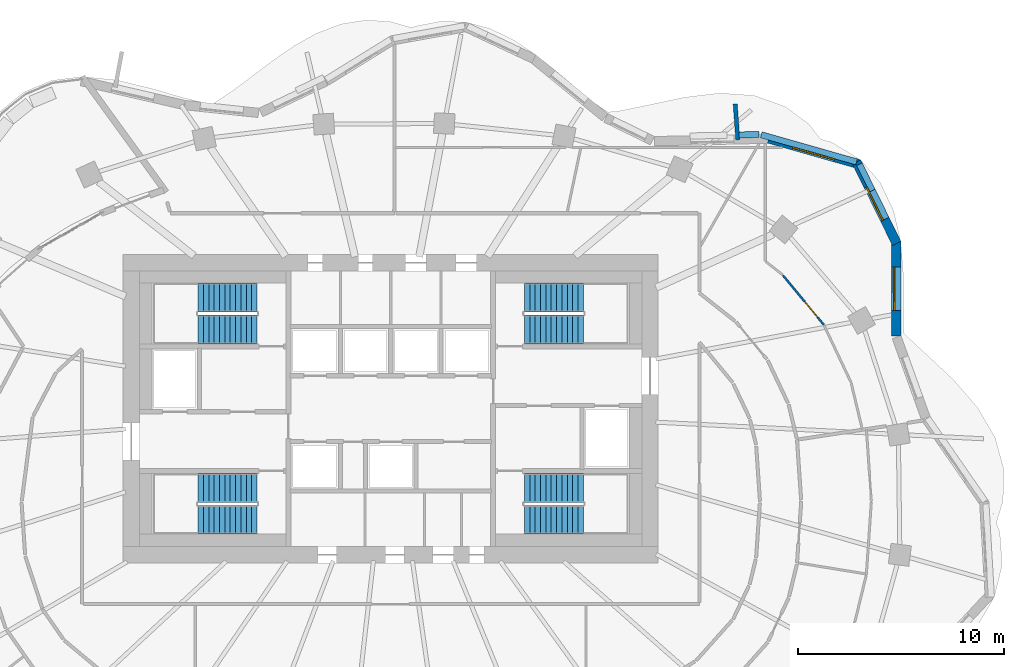
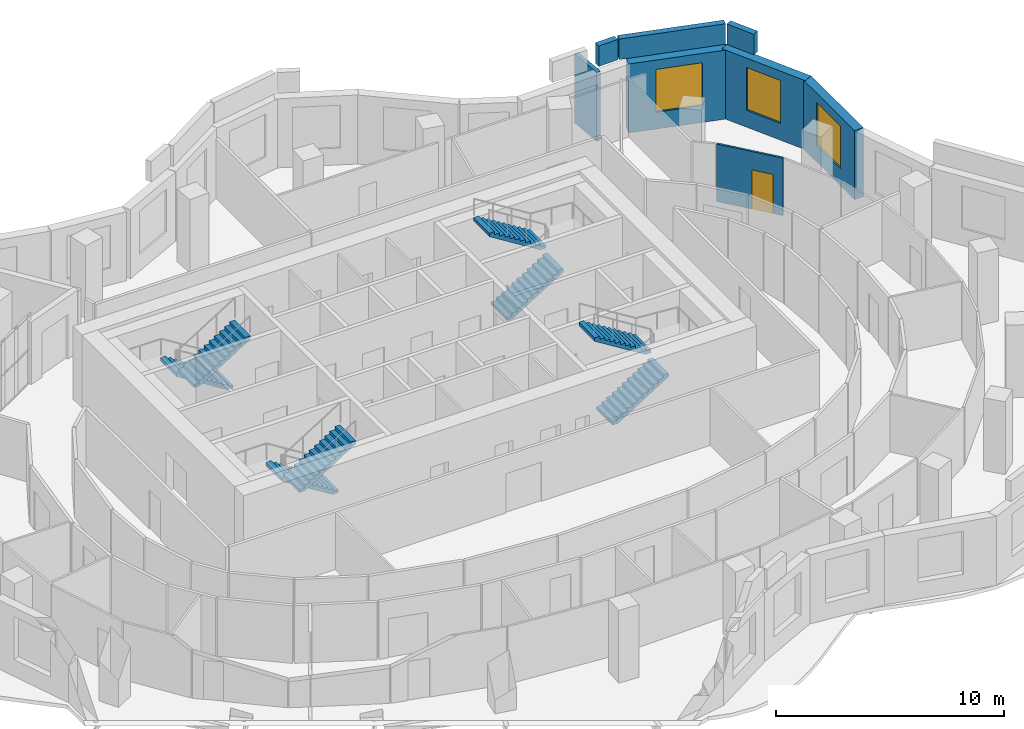
# One storey, part 11 of 13: 8 stair flights, 8 walls, 3 windows, 1 door, 4 openings, 4 elements without a shape of their own.
"""IFC4 building model written with IfcOpenShell, lengths in metres."""

from ifc_helpers import new_model, si_unit, direction, frame, frame_2d, origin, place, context, subcontext, project, spatial, polyline, rectangle, outline, extrude, material, layer, layer_set, type_object, element, fill, aggregate, save


model = new_model("IFC4")

# Units and contexts
model_context = context("Model", 3, precision=1e-05, world=origin(), true_north=direction((0.0, 1.0)))
body_context = subcontext(model_context, "Body", "Model", "MODEL_VIEW")
ifc_project = project(units=[si_unit("LENGTHUNIT", "METRE"), si_unit("AREAUNIT", "SQUARE_METRE"), si_unit("VOLUMEUNIT", "CUBIC_METRE"), si_unit("PLANEANGLEUNIT", "RADIAN"), si_unit("MASSUNIT", "GRAM", prefix="KILO")], contexts=[model_context])

# Site, building, storey
site_placement = place(None, origin())
site = spatial("IfcSite", under=ifc_project, at=site_placement, CompositionType="ELEMENT")
building_placement = place(site_placement, origin())
building = spatial("IfcBuilding", under=site, at=building_placement, Name="Rubra Terraces Tower", CompositionType="ELEMENT")
storey_placement = place(building_placement, frame((0.0, 0.0, 189.60009765625)))
storey = spatial("IfcBuildingStorey", under=building, at=storey_placement, Name="L46", CompositionType="ELEMENT", Elevation=189.60009765625)

# Wall, opening, window
ifc_material_1 = material(Name="Brick masonry red-brown", Category="masonry")
ifc_layer_1 = layer(ifc_material_1, 0.449951171875)
ifc_layer_set_1 = layer_set([ifc_layer_1], Name="Brick masonry red-brown")
wall_type_1 = type_object("IfcWallType", Name="Brick facade wall 450", PredefinedType="SOLIDWALL", material=ifc_layer_set_1)
wall_1_placement = place(storey_placement, frame((24.5712890625, 8.044189453125, 0.0), z_axis=(0.0, 0.0, 1.0), x_axis=(-0.001546005189, 0.999998804933, 0.0)))
wall_1 = element("IfcWall", 1, at=wall_1_placement, inside=storey, type_object=wall_type_1, Name="Facade wall L46 bay 3", PredefinedType="SOLIDWALL", context=body_context, shape_type="SweptSolid", body=[
    extrude(rectangle(XDim=4.57958984375, YDim=0.449951171875, at=frame_2d((2.289794921875, 0.0))), origin(), (0.0, 0.0, 1.0), 3.699951171875),
])
opening_1_placement = place(wall_1_placement, frame((1.23974609375, 0.0, 0.89990234375)))
opening_1 = element("IfcOpeningElement", 2, at=opening_1_placement, cuts=wall_1, Name="Opening W1B", PredefinedType="OPENING", context=body_context, shape_type="SweptSolid", body=[
    extrude(rectangle(XDim=2.10009765625, YDim=2.300048828125, at=frame_2d((1.050048828125, 1.14990234375))), frame((0.0, 0.23486328125, 0.0), z_axis=(0.0, -1.0, 0.0), x_axis=(1.0, 0.0, 0.0)), (0.0, 0.0, 1.0), 0.469970703125),
])
ifc_material_2 = material(Name="Clear glass in aluminium frame", Category="aluminium")
window_type_1 = type_object("IfcWindowType", Name="Fixed deep-set window tall storey 2100 x 2300", PartitioningType="SINGLE_PANEL", PredefinedType="WINDOW", material=ifc_material_2)
window_1_placement = place(opening_1_placement, origin())
window_1 = element("IfcWindow", 3, at=window_1_placement, inside=storey, type_object=window_type_1, Name="Window L46 bay 3", OverallHeight=2.300048828125, OverallWidth=2.10009765625, PartitioningType="SINGLE_PANEL", PredefinedType="WINDOW", context=body_context, shape_type="SweptSolid", body=[
    extrude(rectangle(XDim=2.10009765625, YDim=2.300048828125, at=frame_2d((1.050048828125, 1.14990234375))), frame((0.0, 0.135009765625, 0.0), z_axis=(0.0, -1.0, 0.0), x_axis=(1.0, 0.0, 0.0)), (0.0, 0.0, 1.0), 0.06005859375),
])
fill(opening_1, window_1)

wall_2_placement = place(storey_placement, frame((24.587158203125, 12.531494140625, 0.0), z_axis=(0.0, 0.0, 1.0), x_axis=(-0.441565582365, 0.897228976611, 0.0)))
wall_2 = element("IfcWall", 4, at=wall_2_placement, inside=storey, type_object=wall_type_1, Name="Facade wall L46 bay 4", PredefinedType="SOLIDWALL", context=body_context, shape_type="SweptSolid", body=[
    extrude(rectangle(XDim=4.416015625, YDim=0.449951171875, at=frame_2d((2.2080078125, 0.0))), origin(), (0.0, 0.0, 1.0), 3.699951171875),
])
opening_2_placement = place(wall_2_placement, frame((1.307861328125, 0.0, 0.89990234375)))
opening_2 = element("IfcOpeningElement", 5, at=opening_2_placement, cuts=wall_2, Name="Opening W6B", PredefinedType="OPENING", context=body_context, shape_type="SweptSolid", body=[
    extrude(rectangle(XDim=1.800048828125, YDim=2.300048828125, at=frame_2d((0.89990234375, 1.14990234375))), frame((0.0, 0.23486328125, 0.0), z_axis=(0.0, -1.0, 0.0), x_axis=(1.0, 0.0, 0.0)), (0.0, 0.0, 1.0), 0.469970703125),
])
window_type_2 = type_object("IfcWindowType", Name="Fixed deep-set window at wind fin tall storey 1800 x 2300", PartitioningType="SINGLE_PANEL", PredefinedType="WINDOW", material=ifc_material_2)
window_2_placement = place(opening_2_placement, origin())
window_2 = element("IfcWindow", 6, at=window_2_placement, inside=storey, type_object=window_type_2, Name="Window L46 bay 4", OverallHeight=2.300048828125, OverallWidth=1.800048828125, PartitioningType="SINGLE_PANEL", PredefinedType="WINDOW", context=body_context, shape_type="SweptSolid", body=[
    extrude(rectangle(XDim=1.800048828125, YDim=2.300048828125, at=frame_2d((0.89990234375, 1.14990234375))), frame((0.0, 0.135009765625, 0.0), z_axis=(0.0, -1.0, 0.0), x_axis=(1.0, 0.0, 0.0)), (0.0, 0.0, 1.0), 0.06005859375),
])
fill(opening_2, window_2)

wall_3_placement = place(storey_placement, frame((22.777587890625, 16.376708984375, 0.0), z_axis=(0.0, 0.0, 1.0), x_axis=(-0.961872816949, 0.273497137123, 0.0)))
wall_3 = element("IfcWall", 7, at=wall_3_placement, inside=storey, type_object=wall_type_1, Name="Facade wall L46 bay 5", PredefinedType="SOLIDWALL", context=body_context, shape_type="SweptSolid", body=[
    extrude(rectangle(XDim=4.584716796875, YDim=0.449951171875, at=frame_2d((2.29248046875, 0.0))), origin(), (0.0, 0.0, 1.0), 3.699951171875),
])
opening_3_placement = place(wall_3_placement, frame((1.242431640625, 0.0, 0.89990234375)))
opening_3 = element("IfcOpeningElement", 8, at=opening_3_placement, cuts=wall_3, Name="Opening W1B", PredefinedType="OPENING", context=body_context, shape_type="SweptSolid", body=[
    extrude(rectangle(XDim=2.10009765625, YDim=2.300048828125, at=frame_2d((1.050048828125, 1.14990234375))), frame((0.0, 0.23486328125, 0.0), z_axis=(0.0, -1.0, 0.0), x_axis=(1.0, 0.0, 0.0)), (0.0, 0.0, 1.0), 0.469970703125),
])
window_3_placement = place(opening_3_placement, origin())
window_3 = element("IfcWindow", 9, at=window_3_placement, inside=storey, type_object=window_type_1, Name="Window L46 bay 5", OverallHeight=2.300048828125, OverallWidth=2.10009765625, PartitioningType="SINGLE_PANEL", PredefinedType="WINDOW", context=body_context, shape_type="SweptSolid", body=[
    extrude(rectangle(XDim=2.10009765625, YDim=2.300048828125, at=frame_2d((1.050048828125, 1.14990234375))), frame((0.0, 0.135009765625, 0.0), z_axis=(0.0, -1.0, 0.0), x_axis=(1.0, 0.0, 0.0)), (0.0, 0.0, 1.0), 0.06005859375),
])
fill(opening_3, window_3)

# Walls
ifc_layer_2 = layer(ifc_material_1, 0.300048828125)
ifc_layer_set_2 = layer_set([ifc_layer_2], Name="Brick masonry red-brown")
wall_type_2 = type_object("IfcWallType", Name="Brick parapet 300", PredefinedType="PARAPET", material=ifc_layer_set_2)
wall_4_placement = place(storey_placement, frame((23.40673828125, 15.099609375, 3.89990234375), z_axis=(0.0, 0.0, 1.0), x_axis=(-0.441525139575, 0.897248879143, 0.0)))
element("IfcWall", 10, at=wall_4_placement, inside=storey, type_object=wall_type_2, Name="Parapet L46 bay 4", PredefinedType="PARAPET", context=body_context, shape_type="SweptSolid", body=[
    extrude(rectangle(XDim=1.42724609375, YDim=0.300048828125, at=frame_2d((0.713623046875, 0.0))), origin(), (0.0, 0.0, 1.0), 1.10009765625),
])
wall_5_placement = place(storey_placement, frame((22.640869140625, 16.493408203125, 3.89990234375), z_axis=(0.0, 0.0, 1.0), x_axis=(-0.961855991684, 0.273556303641, 0.0)))
element("IfcWall", 11, at=wall_5_placement, inside=storey, type_object=wall_type_2, Name="Parapet L46 bay 5", PredefinedType="PARAPET", context=body_context, shape_type="SweptSolid", body=[
    extrude(rectangle(XDim=4.817626953125, YDim=0.300048828125, at=frame_2d((2.40869140625, 0.0))), origin(), (0.0, 0.0, 1.0), 1.10009765625),
])
wall_6_placement = place(storey_placement, frame((17.904052734375, 17.824462890625, 3.89990234375), z_axis=(0.0, 0.0, 1.0), x_axis=(-0.999771907309, -0.021357278744, 0.0)))
element("IfcWall", 12, at=wall_6_placement, inside=storey, type_object=wall_type_2, Name="Parapet L46 bay 6", PredefinedType="PARAPET", context=body_context, shape_type="SweptSolid", body=[
    extrude(rectangle(XDim=0.9716796875, YDim=0.300048828125, at=frame_2d((0.48583984375, 0.0))), origin(), (0.0, 0.0, 1.0), 1.10009765625),
])
ifc_layer_3 = layer(ifc_material_1, 0.199951171875)
ifc_layer_set_3 = layer_set([ifc_layer_3], Name="Brick masonry red-brown")
wall_type_3 = type_object("IfcWallType", Name="Brick wind fin 200", PredefinedType="SOLIDWALL", material=ifc_layer_set_3)
wall_7_placement = place(storey_placement, frame((16.868896484375, 17.56591796875, 0.0), z_axis=(0.0, 0.0, 1.0), x_axis=(-0.073655868346, 0.997283717434, 0.0)))
element("IfcWall", 13, at=wall_7_placement, inside=storey, type_object=wall_type_3, Name="Wind fin L46 4", PredefinedType="SOLIDWALL", context=body_context, shape_type="SweptSolid", body=[
    extrude(rectangle(XDim=1.75, YDim=0.199951171875, at=frame_2d((0.875, 0.0))), origin(), (0.0, 0.0, 1.0), 3.699951171875),
])

# Wall, opening, door
ifc_material_3 = material(Name="Plasterboard on steel stud", Category="steel")
ifc_layer_4 = layer(ifc_material_3, 0.10009765625)
ifc_layer_set_4 = layer_set([ifc_layer_4], Name="Plasterboard on steel stud")
wall_type_4 = type_object("IfcWallType", Name="ROOM PARTITION 100", PredefinedType="PARTITIONING", material=ifc_layer_set_4)
wall_8_placement = place(storey_placement, frame((19.064697265625, 10.97705078125, 0.0), z_axis=(0.0, 0.0, 1.0), x_axis=(0.636582843743, -0.771208326623, 0.0)))
wall_8 = element("IfcWall", 14, at=wall_8_placement, inside=storey, type_object=wall_type_4, Name="PARTITION", PredefinedType="PARTITIONING", context=body_context, shape_type="SweptSolid", body=[
    extrude(rectangle(XDim=3.1064453125, YDim=0.10009765625, at=frame_2d((1.55322265625, 0.0))), origin(), (0.0, 0.0, 1.0), 3.083984375),
])
opening_4_placement = place(wall_8_placement, frame((1.64990234375, 0.0, 0.0)))
opening_4 = element("IfcOpeningElement", 15, at=opening_4_placement, cuts=wall_8, Name="Opening 46-116", PredefinedType="OPENING", context=body_context, shape_type="SweptSolid", body=[
    extrude(rectangle(XDim=1.0, YDim=2.10009765625, at=frame_2d((0.5, 1.050048828125))), frame((0.0, 0.06005859375, 0.0), z_axis=(0.0, -1.0, 0.0), x_axis=(1.0, 0.0, 0.0)), (0.0, 0.0, 1.0), 0.1201171875),
])
ifc_material_4 = material(Name="Painted timber door leaf", Category="wood")
door_type = type_object("IfcDoorType", Name="ROOM DOOR 1000 X 2100", OperationType="SINGLE_SWING_LEFT", PredefinedType="DOOR", material=ifc_material_4)
door_placement = place(opening_4_placement, origin())
door = element("IfcDoor", 16, at=door_placement, inside=storey, type_object=door_type, Name="DOOR 46-116", OperationType="SINGLE_SWING_LEFT", OverallHeight=2.10009765625, OverallWidth=1.0, PredefinedType="DOOR", context=body_context, shape_type="SweptSolid", body=[
    extrude(rectangle(XDim=1.0, YDim=2.10009765625, at=frame_2d((0.5, 1.050048828125))), frame((0.0, 0.02490234375, 0.0), z_axis=(0.0, -1.0, 0.0), x_axis=(1.0, 0.0, 0.0)), (0.0, 0.0, 1.0), 0.050048828125),
])
fill(opening_4, door)

# Stair, stair flights
ifc_material_5 = material(Name="Concrete C40", Category="concrete")
stair_type = type_object("IfcStairType", Name="Core stair 1400", PredefinedType="HALF_TURN_STAIR", material=ifc_material_5)
stair_1_placement = place(storey_placement, origin())
stair_1 = element("IfcStair", 17, at=stair_1_placement, inside=storey, type_object=stair_type, Name="L46 Exit stair S1", PredefinedType="HALF_TURN_STAIR")
stair_flight_type = type_object("IfcStairFlightType", Name="Core stair flight 1400", PredefinedType="STRAIGHT", material=ifc_material_5)
stair_flight_1_placement = place(storey_placement, frame((-6.5, 0.64990234375, 0.0), z_axis=(0.0, 0.0, 1.0), x_axis=(-1.0, 0.0, 0.0)))
stair_flight_1 = element("IfcStairFlight", 18, at=stair_flight_1_placement, type_object=stair_flight_type, Name="S1 flight 1", NumberOfRisers=12, NumberOfTreads=11, PredefinedType="STRAIGHT", RiserHeight=0.1625, TreadLength=0.26, context=body_context, shape_type="SweptSolid", body=[
    extrude(outline(polyline([(0.0, 0.0), (0.0, 0.16259765625), (0.260009765625, 0.16259765625), (0.260009765625, 0.324951171875), (0.52001953125, 0.324951171875), (0.52001953125, 0.487548828125), (0.780029296875, 0.487548828125), (0.780029296875, 0.64990234375), (1.0400390625, 0.64990234375), (1.0400390625, 0.8125), (1.300048828125, 0.8125), (1.300048828125, 0.97509765625), (1.56005859375, 0.97509765625), (1.56005859375, 1.137451171875), (1.820068359375, 1.137451171875), (1.820068359375, 1.300048828125), (2.080078125, 1.300048828125), (2.080078125, 1.46240234375), (2.340087890625, 1.46240234375), (2.340087890625, 1.625), (2.60009765625, 1.625), (2.60009765625, 1.78759765625), (2.860107421875, 1.78759765625), (2.860107421875, 1.949951171875), (2.860107421875, 1.61083984375), (0.28271484375, 0.0), (0.0, 0.0)])), frame((0.0, 0.699951171875, 0.0), z_axis=(0.0, -1.0, 0.0), x_axis=(1.0, 0.0, 0.0)), (0.0, 0.0, 1.0), 1.39990234375),
])
stair_flight_2_placement = place(storey_placement, frame((-9.360107421875, -0.89990234375, 1.949951171875), z_axis=(0.0, 0.0, 1.0), x_axis=(1.0, 0.0, 0.0)))
stair_flight_2 = element("IfcStairFlight", 19, at=stair_flight_2_placement, type_object=stair_flight_type, Name="S1 flight 2", NumberOfRisers=12, NumberOfTreads=11, PredefinedType="STRAIGHT", RiserHeight=0.1625, TreadLength=0.26, context=body_context, shape_type="SweptSolid", body=[
    extrude(outline(polyline([(0.0, 0.0), (0.0, 0.16259765625), (0.260009765625, 0.16259765625), (0.260009765625, 0.324951171875), (0.52001953125, 0.324951171875), (0.52001953125, 0.487548828125), (0.780029296875, 0.487548828125), (0.780029296875, 0.64990234375), (1.0400390625, 0.64990234375), (1.0400390625, 0.8125), (1.300048828125, 0.8125), (1.300048828125, 0.97509765625), (1.56005859375, 0.97509765625), (1.56005859375, 1.137451171875), (1.820068359375, 1.137451171875), (1.820068359375, 1.300048828125), (2.080078125, 1.300048828125), (2.080078125, 1.46240234375), (2.340087890625, 1.46240234375), (2.340087890625, 1.625), (2.60009765625, 1.625), (2.60009765625, 1.78759765625), (2.860107421875, 1.78759765625), (2.860107421875, 1.949951171875), (2.860107421875, 1.61083984375), (0.28271484375, 0.0), (0.0, 0.0)])), frame((0.0, 0.699951171875, 0.0), z_axis=(0.0, -1.0, 0.0), x_axis=(1.0, 0.0, 0.0)), (0.0, 0.0, 1.0), 1.39990234375),
])
aggregate(stair_1, [stair_flight_1, stair_flight_2])

stair_2_placement = place(storey_placement, origin())
stair_2 = element("IfcStair", 20, at=stair_2_placement, inside=storey, type_object=stair_type, Name="L46 Exit stair S2", PredefinedType="HALF_TURN_STAIR")
stair_flight_3_placement = place(storey_placement, frame((-6.5, 9.89990234375, 0.0), z_axis=(0.0, 0.0, 1.0), x_axis=(-1.0, 0.0, 0.0)))
stair_flight_3 = element("IfcStairFlight", 21, at=stair_flight_3_placement, type_object=stair_flight_type, Name="S2 flight 1", NumberOfRisers=12, NumberOfTreads=11, PredefinedType="STRAIGHT", RiserHeight=0.1625, TreadLength=0.26, context=body_context, shape_type="SweptSolid", body=[
    extrude(outline(polyline([(0.0, 0.0), (0.0, 0.16259765625), (0.260009765625, 0.16259765625), (0.260009765625, 0.324951171875), (0.52001953125, 0.324951171875), (0.52001953125, 0.487548828125), (0.780029296875, 0.487548828125), (0.780029296875, 0.64990234375), (1.0400390625, 0.64990234375), (1.0400390625, 0.8125), (1.300048828125, 0.8125), (1.300048828125, 0.97509765625), (1.56005859375, 0.97509765625), (1.56005859375, 1.137451171875), (1.820068359375, 1.137451171875), (1.820068359375, 1.300048828125), (2.080078125, 1.300048828125), (2.080078125, 1.46240234375), (2.340087890625, 1.46240234375), (2.340087890625, 1.625), (2.60009765625, 1.625), (2.60009765625, 1.78759765625), (2.860107421875, 1.78759765625), (2.860107421875, 1.949951171875), (2.860107421875, 1.61083984375), (0.28271484375, 0.0), (0.0, 0.0)])), frame((0.0, 0.699951171875, 0.0), z_axis=(0.0, -1.0, 0.0), x_axis=(1.0, 0.0, 0.0)), (0.0, 0.0, 1.0), 1.39990234375),
])
stair_flight_4_placement = place(storey_placement, frame((-9.360107421875, 8.35009765625, 1.949951171875), z_axis=(0.0, 0.0, 1.0), x_axis=(1.0, 0.0, 0.0)))
stair_flight_4 = element("IfcStairFlight", 22, at=stair_flight_4_placement, type_object=stair_flight_type, Name="S2 flight 2", NumberOfRisers=12, NumberOfTreads=11, PredefinedType="STRAIGHT", RiserHeight=0.1625, TreadLength=0.26, context=body_context, shape_type="SweptSolid", body=[
    extrude(outline(polyline([(0.0, 0.0), (0.0, 0.16259765625), (0.260009765625, 0.16259765625), (0.260009765625, 0.324951171875), (0.52001953125, 0.324951171875), (0.52001953125, 0.487548828125), (0.780029296875, 0.487548828125), (0.780029296875, 0.64990234375), (1.0400390625, 0.64990234375), (1.0400390625, 0.8125), (1.300048828125, 0.8125), (1.300048828125, 0.97509765625), (1.56005859375, 0.97509765625), (1.56005859375, 1.137451171875), (1.820068359375, 1.137451171875), (1.820068359375, 1.300048828125), (2.080078125, 1.300048828125), (2.080078125, 1.46240234375), (2.340087890625, 1.46240234375), (2.340087890625, 1.625), (2.60009765625, 1.625), (2.60009765625, 1.78759765625), (2.860107421875, 1.78759765625), (2.860107421875, 1.949951171875), (2.860107421875, 1.61083984375), (0.28271484375, 0.0), (0.0, 0.0)])), frame((0.0, 0.699951171875, 0.0), z_axis=(0.0, -1.0, 0.0), x_axis=(1.0, 0.0, 0.0)), (0.0, 0.0, 1.0), 1.39990234375),
])
aggregate(stair_2, [stair_flight_3, stair_flight_4])

stair_3_placement = place(storey_placement, origin())
stair_3 = element("IfcStair", 23, at=stair_3_placement, inside=storey, type_object=stair_type, Name="L46 Exit stair S3", PredefinedType="HALF_TURN_STAIR")
stair_flight_5_placement = place(storey_placement, frame((6.5, 8.35009765625, 0.0), z_axis=(0.0, 0.0, 1.0), x_axis=(1.0, 0.0, 0.0)))
stair_flight_5 = element("IfcStairFlight", 24, at=stair_flight_5_placement, type_object=stair_flight_type, Name="S3 flight 1", NumberOfRisers=12, NumberOfTreads=11, PredefinedType="STRAIGHT", RiserHeight=0.1625, TreadLength=0.26, context=body_context, shape_type="SweptSolid", body=[
    extrude(outline(polyline([(0.0, 0.0), (0.0, 0.16259765625), (0.260009765625, 0.16259765625), (0.260009765625, 0.324951171875), (0.52001953125, 0.324951171875), (0.52001953125, 0.487548828125), (0.780029296875, 0.487548828125), (0.780029296875, 0.64990234375), (1.0400390625, 0.64990234375), (1.0400390625, 0.8125), (1.300048828125, 0.8125), (1.300048828125, 0.97509765625), (1.56005859375, 0.97509765625), (1.56005859375, 1.137451171875), (1.820068359375, 1.137451171875), (1.820068359375, 1.300048828125), (2.080078125, 1.300048828125), (2.080078125, 1.46240234375), (2.340087890625, 1.46240234375), (2.340087890625, 1.625), (2.60009765625, 1.625), (2.60009765625, 1.78759765625), (2.860107421875, 1.78759765625), (2.860107421875, 1.949951171875), (2.860107421875, 1.61083984375), (0.28271484375, 0.0), (0.0, 0.0)])), frame((0.0, 0.699951171875, 0.0), z_axis=(0.0, -1.0, 0.0), x_axis=(1.0, 0.0, 0.0)), (0.0, 0.0, 1.0), 1.39990234375),
])
stair_flight_6_placement = place(storey_placement, frame((9.360107421875, 9.89990234375, 1.949951171875), z_axis=(0.0, 0.0, 1.0), x_axis=(-1.0, 0.0, 0.0)))
stair_flight_6 = element("IfcStairFlight", 25, at=stair_flight_6_placement, type_object=stair_flight_type, Name="S3 flight 2", NumberOfRisers=12, NumberOfTreads=11, PredefinedType="STRAIGHT", RiserHeight=0.1625, TreadLength=0.26, context=body_context, shape_type="SweptSolid", body=[
    extrude(outline(polyline([(0.0, 0.0), (0.0, 0.16259765625), (0.260009765625, 0.16259765625), (0.260009765625, 0.324951171875), (0.52001953125, 0.324951171875), (0.52001953125, 0.487548828125), (0.780029296875, 0.487548828125), (0.780029296875, 0.64990234375), (1.0400390625, 0.64990234375), (1.0400390625, 0.8125), (1.300048828125, 0.8125), (1.300048828125, 0.97509765625), (1.56005859375, 0.97509765625), (1.56005859375, 1.137451171875), (1.820068359375, 1.137451171875), (1.820068359375, 1.300048828125), (2.080078125, 1.300048828125), (2.080078125, 1.46240234375), (2.340087890625, 1.46240234375), (2.340087890625, 1.625), (2.60009765625, 1.625), (2.60009765625, 1.78759765625), (2.860107421875, 1.78759765625), (2.860107421875, 1.949951171875), (2.860107421875, 1.61083984375), (0.28271484375, 0.0), (0.0, 0.0)])), frame((0.0, 0.699951171875, 0.0), z_axis=(0.0, -1.0, 0.0), x_axis=(1.0, 0.0, 0.0)), (0.0, 0.0, 1.0), 1.39990234375),
])
aggregate(stair_3, [stair_flight_5, stair_flight_6])

stair_4_placement = place(storey_placement, origin())
stair_4 = element("IfcStair", 26, at=stair_4_placement, inside=storey, type_object=stair_type, Name="L46 Exit stair S4", PredefinedType="HALF_TURN_STAIR")
stair_flight_7_placement = place(storey_placement, frame((6.5, -0.89990234375, 0.0), z_axis=(0.0, 0.0, 1.0), x_axis=(1.0, 0.0, 0.0)))
stair_flight_7 = element("IfcStairFlight", 27, at=stair_flight_7_placement, type_object=stair_flight_type, Name="S4 flight 1", NumberOfRisers=12, NumberOfTreads=11, PredefinedType="STRAIGHT", RiserHeight=0.1625, TreadLength=0.26, context=body_context, shape_type="SweptSolid", body=[
    extrude(outline(polyline([(0.0, 0.0), (0.0, 0.16259765625), (0.260009765625, 0.16259765625), (0.260009765625, 0.324951171875), (0.52001953125, 0.324951171875), (0.52001953125, 0.487548828125), (0.780029296875, 0.487548828125), (0.780029296875, 0.64990234375), (1.0400390625, 0.64990234375), (1.0400390625, 0.8125), (1.300048828125, 0.8125), (1.300048828125, 0.97509765625), (1.56005859375, 0.97509765625), (1.56005859375, 1.137451171875), (1.820068359375, 1.137451171875), (1.820068359375, 1.300048828125), (2.080078125, 1.300048828125), (2.080078125, 1.46240234375), (2.340087890625, 1.46240234375), (2.340087890625, 1.625), (2.60009765625, 1.625), (2.60009765625, 1.78759765625), (2.860107421875, 1.78759765625), (2.860107421875, 1.949951171875), (2.860107421875, 1.61083984375), (0.28271484375, 0.0), (0.0, 0.0)])), frame((0.0, 0.699951171875, 0.0), z_axis=(0.0, -1.0, 0.0), x_axis=(1.0, 0.0, 0.0)), (0.0, 0.0, 1.0), 1.39990234375),
])
stair_flight_8_placement = place(storey_placement, frame((9.360107421875, 0.64990234375, 1.949951171875), z_axis=(0.0, 0.0, 1.0), x_axis=(-1.0, 0.0, 0.0)))
stair_flight_8 = element("IfcStairFlight", 28, at=stair_flight_8_placement, type_object=stair_flight_type, Name="S4 flight 2", NumberOfRisers=12, NumberOfTreads=11, PredefinedType="STRAIGHT", RiserHeight=0.1625, TreadLength=0.26, context=body_context, shape_type="SweptSolid", body=[
    extrude(outline(polyline([(0.0, 0.0), (0.0, 0.16259765625), (0.260009765625, 0.16259765625), (0.260009765625, 0.324951171875), (0.52001953125, 0.324951171875), (0.52001953125, 0.487548828125), (0.780029296875, 0.487548828125), (0.780029296875, 0.64990234375), (1.0400390625, 0.64990234375), (1.0400390625, 0.8125), (1.300048828125, 0.8125), (1.300048828125, 0.97509765625), (1.56005859375, 0.97509765625), (1.56005859375, 1.137451171875), (1.820068359375, 1.137451171875), (1.820068359375, 1.300048828125), (2.080078125, 1.300048828125), (2.080078125, 1.46240234375), (2.340087890625, 1.46240234375), (2.340087890625, 1.625), (2.60009765625, 1.625), (2.60009765625, 1.78759765625), (2.860107421875, 1.78759765625), (2.860107421875, 1.949951171875), (2.860107421875, 1.61083984375), (0.28271484375, 0.0), (0.0, 0.0)])), frame((0.0, 0.699951171875, 0.0), z_axis=(0.0, -1.0, 0.0), x_axis=(1.0, 0.0, 0.0)), (0.0, 0.0, 1.0), 1.39990234375),
])
aggregate(stair_4, [stair_flight_7, stair_flight_8])

save(model, "model.ifc")
